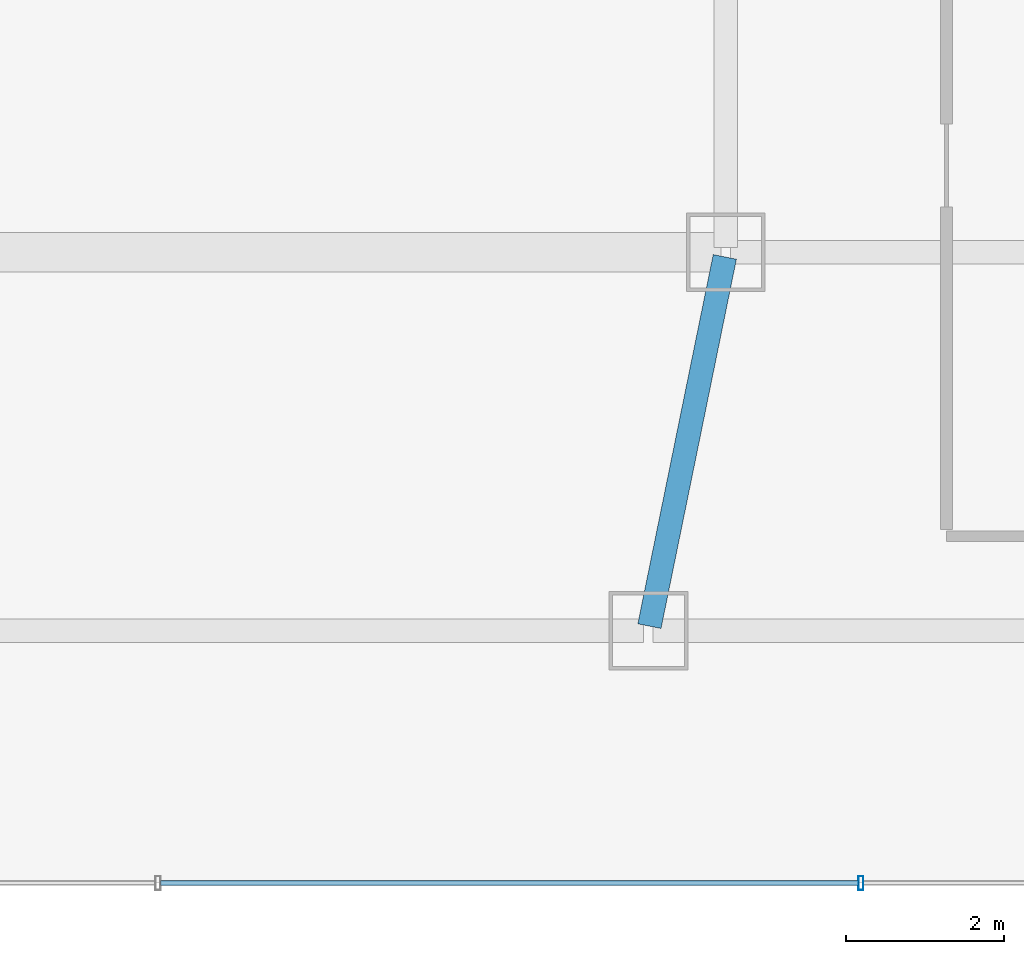
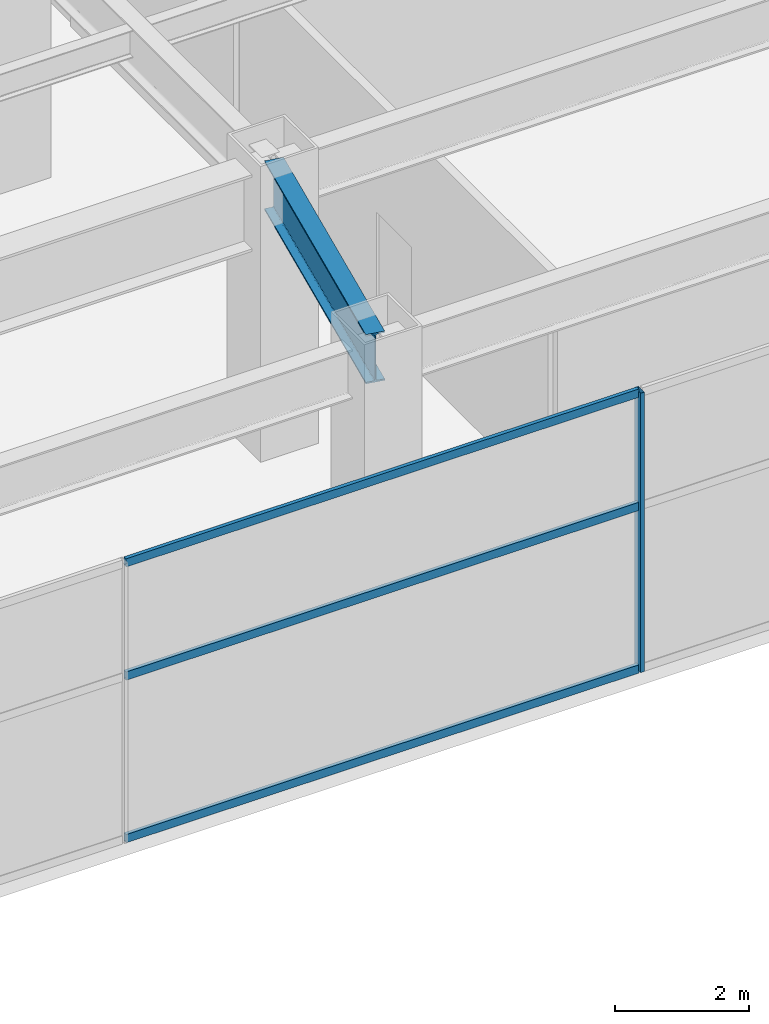
# One storey, part 14 of 52: 4 members, 1 beam, 1 element without a shape of its own.
"""IFC4 building model written with IfcOpenShell, lengths in metres."""

from ifc_helpers import new_model, si_unit, direction, frame, origin, origin_2d, place, context, subcontext, project, spatial, hollow_rectangle, i_section, extrude, material, material_profile, profile_set, type_object, element, aggregate, save


model = new_model("IFC4")

# Units and contexts
model_context = context("Model", 3, precision=1e-05, world=origin(), true_north=direction((0.0, 1.0)))
body_context = subcontext(model_context, "Body", "Model", "MODEL_VIEW")
ifc_project = project(units=[si_unit("LENGTHUNIT", "METRE"), si_unit("AREAUNIT", "SQUARE_METRE"), si_unit("VOLUMEUNIT", "CUBIC_METRE"), si_unit("PLANEANGLEUNIT", "RADIAN"), si_unit("MASSUNIT", "GRAM", prefix="KILO")], contexts=[model_context])

# Site, building, storey
site_placement = place(None, origin())
site = spatial("IfcSite", under=ifc_project, at=site_placement, CompositionType="ELEMENT")
building_placement = place(site_placement, origin())
building = spatial("IfcBuilding", under=site, at=building_placement, Name="Saevonmaru Cultural Tower", CompositionType="ELEMENT")
storey_placement = place(building_placement, frame((0.0, 0.0, 16.800048828125)))
storey = spatial("IfcBuildingStorey", under=building, at=storey_placement, Name="L03", CompositionType="ELEMENT", Elevation=16.800048828125)

# Beam
ifc_material_1 = material(Name="Steel SM420", Category="steel")
ifc_material_profile_1 = material_profile(ifc_material_1, i_section(OverallWidth=0.300048828125, OverallDepth=0.89990234375, WebThickness=0.01611328125, FlangeThickness=0.028076171875, FilletRadius=0.028076171875, at=origin_2d()), Name="H-900x300x16x28")
ifc_profile_set_1 = profile_set([ifc_material_profile_1], Name="Steel SM420")
beam_type = type_object("IfcBeamType", Name="BM-G-H900", PredefinedType="BEAM", material=ifc_profile_set_1)
beam_placement = place(storey_placement, frame((36.23193359375, 3.2587890625, 4.64990234375), z_axis=(0.200054094908, 0.979784853481, 0.0), x_axis=(-0.979784853481, 0.200054094908, 0.0)))
element("IfcBeam", 1, at=beam_placement, inside=storey, type_object=beam_type, Name="L03 Podium Girder NS3-1", PredefinedType="BEAM", context=body_context, shape_type="SweptSolid", body=[
    extrude(i_section(OverallWidth=0.300048828125, OverallDepth=0.89990234375, WebThickness=0.01611328125, FlangeThickness=0.028076171875, FilletRadius=0.028076171875, at=origin_2d()), origin(), (0.0, 0.0, 1.0), 4.779052734375),
])

# Curtain wall, members
ifc_material_2 = material(Name="Satin Bronze Anodised Aluminium", Category="aluminium")
curtain_wall_type = type_object("IfcCurtainWallType", Name="CW-POD-GLZ", PredefinedType="NOTDEFINED", material=ifc_material_2)
curtain_wall_placement = place(storey_placement, origin())
curtain_wall = element("IfcCurtainWall", 2, at=curtain_wall_placement, inside=storey, type_object=curtain_wall_type, Name="L03 South Grand Foyer Curtain Wall", PredefinedType="NOTDEFINED")
ifc_material_profile_2 = material_profile(ifc_material_2, hollow_rectangle(XDim=0.06494140625, YDim=0.179931640625, WallThickness=0.00390625, at=origin_2d()), Name="ALU-MULL-180x65x4")
ifc_profile_set_2 = profile_set([ifc_material_profile_2], Name="Satin Bronze Anodised Aluminium")
member_type_1 = type_object("IfcMemberType", Name="ML-CW-180x65", PredefinedType="MULLION", material=ifc_profile_set_2)
member_1_placement = place(storey_placement, frame((38.913330078125, 0.0, 0.0), z_axis=(0.0, 0.0, 1.0), x_axis=(1.0, 0.0, 0.0)))
member_1 = element("IfcMember", 3, at=member_1_placement, type_object=member_type_1, Name="CW-POD-S-L03 mullion 5", PredefinedType="MULLION", context=body_context, shape_type="SweptSolid", body=[
    extrude(hollow_rectangle(XDim=0.06494140625, YDim=0.179931640625, WallThickness=0.00390625, at=origin_2d()), origin(), (0.0, 0.0, 1.0), 5.099853515625),
])
ifc_material_profile_3 = material_profile(ifc_material_2, hollow_rectangle(XDim=0.06494140625, YDim=0.14990234375, WallThickness=0.00390625, at=origin_2d()), Name="ALU-TRAN-150x65x4")
ifc_profile_set_3 = profile_set([ifc_material_profile_3], Name="Satin Bronze Anodised Aluminium")
member_type_2 = type_object("IfcMemberType", Name="TR-CW-150x65", PredefinedType="USERDEFINED", material=ifc_profile_set_3)
member_2_placement = place(storey_placement, frame((30.032470703125, 0.0, 0.032470703125), z_axis=(1.0, 0.0, 0.0), x_axis=(0.0, 1.0, 0.0)))
member_2 = element("IfcMember", 4, at=member_2_placement, type_object=member_type_2, Name="CW-POD-S-L03 transom 4.1", ObjectType="TRANSOM", PredefinedType="USERDEFINED", context=body_context, shape_type="SweptSolid", body=[
    extrude(hollow_rectangle(XDim=0.06494140625, YDim=0.14990234375, WallThickness=0.00390625, at=origin_2d()), origin(), (0.0, 0.0, 1.0), 8.848388671875),
])
member_3_placement = place(storey_placement, frame((30.032470703125, 0.0, 3.0), z_axis=(1.0, 0.0, 0.0), x_axis=(0.0, 1.0, 0.0)))
member_3 = element("IfcMember", 5, at=member_3_placement, type_object=member_type_2, Name="CW-POD-S-L03 transom 4.2", ObjectType="TRANSOM", PredefinedType="USERDEFINED", context=body_context, shape_type="SweptSolid", body=[
    extrude(hollow_rectangle(XDim=0.06494140625, YDim=0.14990234375, WallThickness=0.00390625, at=origin_2d()), origin(), (0.0, 0.0, 1.0), 8.848388671875),
])
member_4_placement = place(storey_placement, frame((30.032470703125, 0.0, 5.0673828125), z_axis=(1.0, 0.0, 0.0), x_axis=(0.0, 1.0, 0.0)))
member_4 = element("IfcMember", 6, at=member_4_placement, type_object=member_type_2, Name="CW-POD-S-L03 transom 4.3", ObjectType="TRANSOM", PredefinedType="USERDEFINED", context=body_context, shape_type="SweptSolid", body=[
    extrude(hollow_rectangle(XDim=0.06494140625, YDim=0.14990234375, WallThickness=0.00390625, at=origin_2d()), origin(), (0.0, 0.0, 1.0), 8.848388671875),
])
aggregate(curtain_wall, [member_1, member_2, member_3, member_4])

save(model, "model.ifc")
